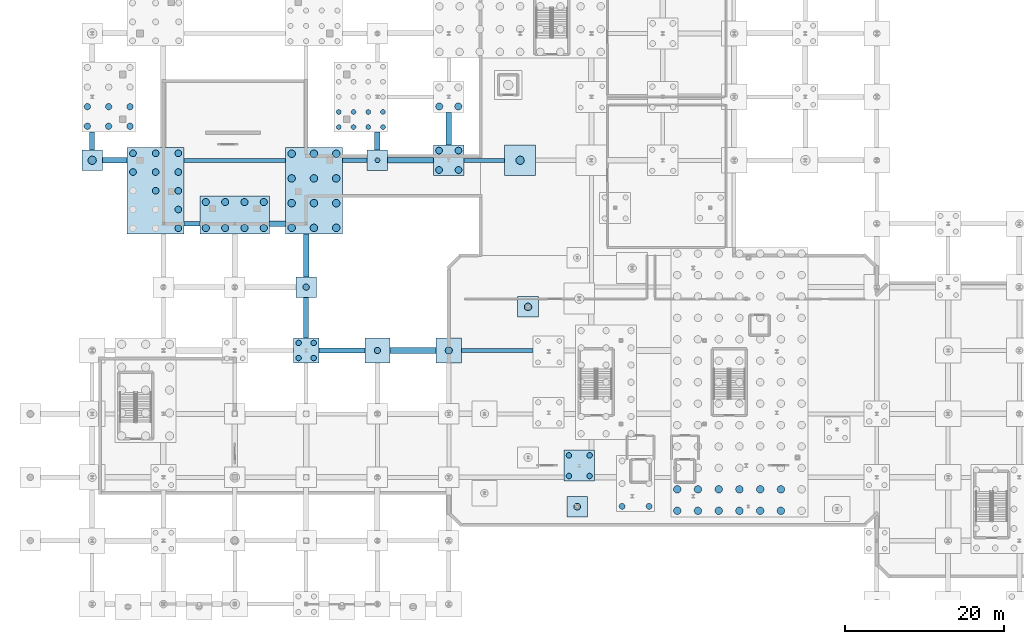
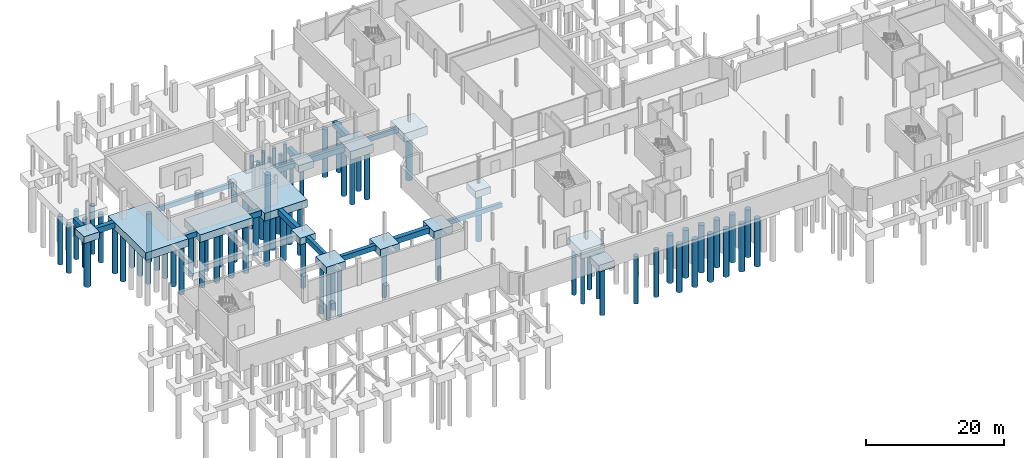
# One storey, part 3 of 37: 80 piles, 29 footings.
"""IFC4 building model written with IfcOpenShell, lengths in metres."""

from ifc_helpers import new_model, si_unit, direction, frame, origin, origin_2d, place, context, subcontext, project, spatial, polyline, rectangle, circle, outline, extrude, material, material_profile, profile_set, type_object, element, save


model = new_model("IFC4")

# Units and contexts
model_context = context("Model", 3, precision=1e-05, world=origin(), true_north=direction((0.0, 1.0)))
body_context = subcontext(model_context, "Body", "Model", "MODEL_VIEW")
ifc_project = project(units=[si_unit("LENGTHUNIT", "METRE"), si_unit("AREAUNIT", "SQUARE_METRE"), si_unit("VOLUMEUNIT", "CUBIC_METRE"), si_unit("PLANEANGLEUNIT", "RADIAN"), si_unit("MASSUNIT", "GRAM", prefix="KILO"), si_unit("THERMODYNAMICTEMPERATUREUNIT", "KELVIN"), si_unit("POWERUNIT", "WATT")], contexts=[model_context])

# Site, building, storey
site_placement = place(None, origin())
site = spatial("IfcSite", under=ifc_project, at=site_placement, CompositionType="ELEMENT")
building_placement = place(site_placement, origin())
building = spatial("IfcBuilding", under=site, at=building_placement, Name="Zelmaris Science Centre", CompositionType="ELEMENT")
storey_placement = place(building_placement, frame((0.0, 0.0, -4.800048828125)))
storey = spatial("IfcBuildingStorey", under=building, at=storey_placement, Name="B1", CompositionType="ELEMENT", Elevation=-4.800048828125)

# Footings
ifc_material = material(Name="Concrete C40/50", Category="concrete")
ifc_material_profile_1 = material_profile(ifc_material, rectangle(XDim=0.5, YDim=0.800048828125, at=origin_2d()), Name="FB-500X800")
ifc_profile_set_1 = profile_set([ifc_material_profile_1], Name="Concrete C40/50")
footing_type_1 = type_object("IfcFootingType", Name="Foundation Tie Beam FB-01 500x800", PredefinedType="FOOTING_BEAM", material=ifc_profile_set_1)
footing_1_placement = place(storey_placement, frame((55.60009765625, 40.0, -0.75), z_axis=(1.0, 0.0, 0.0), x_axis=(0.0, 1.0, 0.0)))
element("IfcFooting", 1, at=footing_1_placement, inside=storey, type_object=footing_type_1, Name="Foundation tie beam 148", PredefinedType="FOOTING_BEAM", context=body_context, shape_type="SweptSolid", body=[
    extrude(rectangle(XDim=0.5, YDim=0.800048828125, at=origin_2d()), origin(), (0.0, 0.0, 1.0), 9.057861328125),
])
footing_2_placement = place(storey_placement, frame((20.60009765625, 64.0, -0.75), z_axis=(1.0, 0.0, 0.0), x_axis=(0.0, 1.0, 0.0)))
element("IfcFooting", 2, at=footing_2_placement, inside=storey, type_object=footing_type_1, Name="Foundation tie beam 172", PredefinedType="FOOTING_BEAM", context=body_context, shape_type="SweptSolid", body=[
    extrude(rectangle(XDim=0.5, YDim=0.800048828125, at=origin_2d()), origin(), (0.0, 0.0, 1.0), 12.7998046875),
])
footing_3_placement = place(storey_placement, frame((55.949951171875, 64.0, -0.75), z_axis=(1.0, 0.0, 0.0), x_axis=(0.0, 1.0, 0.0)))
element("IfcFooting", 3, at=footing_3_placement, inside=storey, type_object=footing_type_1, Name="Foundation tie beam 175", PredefinedType="FOOTING_BEAM", context=body_context, shape_type="SweptSolid", body=[
    extrude(rectangle(XDim=0.5, YDim=0.800048828125, at=origin_2d()), origin(), (0.0, 0.0, 1.0), 5.10009765625),
])
ifc_material_profile_2 = material_profile(ifc_material, rectangle(XDim=0.60009765625, YDim=0.89990234375, at=origin_2d()), Name="FB-600X900")
ifc_profile_set_2 = profile_set([ifc_material_profile_2], Name="Concrete C40/50")
footing_type_2 = type_object("IfcFootingType", Name="Foundation Tie Beam FB-02 600x900", PredefinedType="FOOTING_BEAM", material=ifc_profile_set_2)
footing_4_placement = place(storey_placement, frame((9.0, 65.300048828125, -0.800048828125), z_axis=(0.0, 1.0, 0.0), x_axis=(-1.0, 0.0, 0.0)))
element("IfcFooting", 4, at=footing_4_placement, inside=storey, type_object=footing_type_2, Name="Foundation tie beam 5", PredefinedType="FOOTING_BEAM", context=body_context, shape_type="SweptSolid", body=[
    extrude(rectangle(XDim=0.60009765625, YDim=0.89990234375, at=origin_2d()), origin(), (0.0, 0.0, 1.0), 2.291015625),
])
footing_5_placement = place(storey_placement, frame((36.0, 41.60009765625, -0.800048828125), z_axis=(0.0, 1.0, 0.0), x_axis=(-1.0, 0.0, 0.0)))
element("IfcFooting", 5, at=footing_5_placement, inside=storey, type_object=footing_type_2, Name="Foundation tie beam 23", PredefinedType="FOOTING_BEAM", context=body_context, shape_type="SweptSolid", body=[
    extrude(rectangle(XDim=0.60009765625, YDim=0.89990234375, at=origin_2d()), origin(), (0.0, 0.0, 1.0), 5.099853515625),
])
footing_6_placement = place(storey_placement, frame((37.60009765625, 40.0, -0.800048828125), z_axis=(1.0, 0.0, 0.0), x_axis=(0.0, 1.0, 0.0)))
element("IfcFooting", 6, at=footing_6_placement, inside=storey, type_object=footing_type_2, Name="Foundation tie beam 146", PredefinedType="FOOTING_BEAM", context=body_context, shape_type="SweptSolid", body=[
    extrude(rectangle(XDim=0.60009765625, YDim=0.89990234375, at=origin_2d()), origin(), (0.0, 0.0, 1.0), 5.7998046875),
])
footing_7_placement = place(storey_placement, frame((20.60009765625, 56.0, -0.800048828125), z_axis=(1.0, 0.0, 0.0), x_axis=(0.0, 1.0, 0.0)))
element("IfcFooting", 7, at=footing_7_placement, inside=storey, type_object=footing_type_2, Name="Foundation tie beam 164", PredefinedType="FOOTING_BEAM", context=body_context, shape_type="SweptSolid", body=[
    extrude(rectangle(XDim=0.60009765625, YDim=0.89990234375, at=origin_2d()), origin(), (0.0, 0.0, 1.0), 1.990966796875),
])
footing_8_placement = place(storey_placement, frame((40.572998046875, 64.0, -0.800048828125), z_axis=(1.0, 0.0, 0.0), x_axis=(0.0, 1.0, 0.0)))
element("IfcFooting", 8, at=footing_8_placement, inside=storey, type_object=footing_type_2, Name="Foundation tie beam 173", PredefinedType="FOOTING_BEAM", context=body_context, shape_type="SweptSolid", body=[
    extrude(rectangle(XDim=0.60009765625, YDim=0.89990234375, at=origin_2d()), origin(), (0.0, 0.0, 1.0), 3.126953125),
])
ifc_material_profile_3 = material_profile(ifc_material, rectangle(XDim=0.699951171875, YDim=1.0, at=origin_2d()), Name="FB-700X1000")
ifc_profile_set_3 = profile_set([ifc_material_profile_3], Name="Concrete C40/50")
footing_type_3 = type_object("IfcFootingType", Name="Foundation Tie Beam FB-03 700x1000", PredefinedType="FOOTING_BEAM", material=ifc_profile_set_3)
footing_9_placement = place(storey_placement, frame((36.0, 49.300048828125, -0.849853515625), z_axis=(0.0, 1.0, 0.0), x_axis=(-1.0, 0.0, 0.0)))
element("IfcFooting", 9, at=footing_9_placement, inside=storey, type_object=footing_type_3, Name="Foundation tie beam 24", PredefinedType="FOOTING_BEAM", context=body_context, shape_type="SweptSolid", body=[
    extrude(rectangle(XDim=0.699951171875, YDim=1.0, at=origin_2d()), origin(), (0.0, 0.0, 1.0), 5.39990234375),
])
footing_10_placement = place(storey_placement, frame((45.0, 65.300048828125, -0.849853515625), z_axis=(0.0, 1.0, 0.0), x_axis=(-1.0, 0.0, 0.0)))
element("IfcFooting", 10, at=footing_10_placement, inside=storey, type_object=footing_type_3, Name="Foundation tie beam 30", PredefinedType="FOOTING_BEAM", context=body_context, shape_type="SweptSolid", body=[
    extrude(rectangle(XDim=0.699951171875, YDim=1.0, at=origin_2d()), origin(), (0.0, 0.0, 1.0), 2.291015625),
])
footing_11_placement = place(storey_placement, frame((54.0, 65.949951171875, -0.849853515625), z_axis=(0.0, 1.0, 0.0), x_axis=(-1.0, 0.0, 0.0)))
element("IfcFooting", 11, at=footing_11_placement, inside=storey, type_object=footing_type_3, Name="Foundation tie beam 36", PredefinedType="FOOTING_BEAM", context=body_context, shape_type="SweptSolid", body=[
    extrude(rectangle(XDim=0.699951171875, YDim=1.0, at=origin_2d()), origin(), (0.0, 0.0, 1.0), 4.10009765625),
])
footing_12_placement = place(storey_placement, frame((46.60009765625, 40.0, -0.849853515625), z_axis=(1.0, 0.0, 0.0), x_axis=(0.0, 1.0, 0.0)))
element("IfcFooting", 12, at=footing_12_placement, inside=storey, type_object=footing_type_3, Name="Foundation tie beam 147", PredefinedType="FOOTING_BEAM", context=body_context, shape_type="SweptSolid", body=[
    extrude(rectangle(XDim=0.699951171875, YDim=1.0, at=origin_2d()), origin(), (0.0, 0.0, 1.0), 5.7998046875),
])
footing_13_placement = place(storey_placement, frame((31.408935546875, 56.0, -0.849853515625), z_axis=(1.0, 0.0, 0.0), x_axis=(0.0, 1.0, 0.0)))
element("IfcFooting", 13, at=footing_13_placement, inside=storey, type_object=footing_type_3, Name="Foundation tie beam 165", PredefinedType="FOOTING_BEAM", context=body_context, shape_type="SweptSolid", body=[
    extrude(rectangle(XDim=0.699951171875, YDim=1.0, at=origin_2d()), origin(), (0.0, 0.0, 1.0), 1.990966796875),
])
footing_14_placement = place(storey_placement, frame((10.300048828125, 64.0, -0.849853515625), z_axis=(1.0, 0.0, 0.0), x_axis=(0.0, 1.0, 0.0)))
element("IfcFooting", 14, at=footing_14_placement, inside=storey, type_object=footing_type_3, Name="Foundation tie beam 171", PredefinedType="FOOTING_BEAM", context=body_context, shape_type="SweptSolid", body=[
    extrude(rectangle(XDim=0.699951171875, YDim=1.0, at=origin_2d()), origin(), (0.0, 0.0, 1.0), 3.126953125),
])
footing_15_placement = place(storey_placement, frame((46.300048828125, 64.0, -0.849853515625), z_axis=(1.0, 0.0, 0.0), x_axis=(0.0, 1.0, 0.0)))
element("IfcFooting", 15, at=footing_15_placement, inside=storey, type_object=footing_type_3, Name="Foundation tie beam 174", PredefinedType="FOOTING_BEAM", context=body_context, shape_type="SweptSolid", body=[
    extrude(rectangle(XDim=0.699951171875, YDim=1.0, at=origin_2d()), origin(), (0.0, 0.0, 1.0), 5.75),
])
footing_type_4 = type_object("IfcFootingType", Name="Pile Cap PCM-2626 2600x2600x1200", PredefinedType="PILE_CAP", material=ifc_material)
footing_16_placement = place(storey_placement, frame((0.0, 0.0, -1.550048828125)))
element("IfcFooting", 16, at=footing_16_placement, inside=storey, type_object=footing_type_4, Name="Pile cap 9", PredefinedType="PILE_CAP", context=body_context, shape_type="SweptSolid", body=[
    extrude(outline(polyline([(7.699951171875, 62.699951171875), (10.300048828125, 62.699951171875), (10.300048828125, 65.300048828125), (7.699951171875, 65.300048828125), (7.699951171875, 62.699951171875)])), origin(), (0.0, 0.0, 1.0), 1.2001953125),
])
footing_17_placement = place(storey_placement, frame((0.0, 0.0, -1.550048828125)))
element("IfcFooting", 17, at=footing_17_placement, inside=storey, type_object=footing_type_4, Name="Pile cap 11", PredefinedType="PILE_CAP", context=body_context, shape_type="SweptSolid", body=[
    extrude(outline(polyline([(43.699951171875, 62.699951171875), (46.300048828125, 62.699951171875), (46.300048828125, 65.300048828125), (43.699951171875, 65.300048828125), (43.699951171875, 62.699951171875)])), origin(), (0.0, 0.0, 1.0), 1.2001953125),
])
footing_18_placement = place(storey_placement, frame((0.0, 0.0, -1.550048828125)))
element("IfcFooting", 18, at=footing_18_placement, inside=storey, type_object=footing_type_4, Name="Pile cap 15", PredefinedType="PILE_CAP", context=body_context, shape_type="SweptSolid", body=[
    extrude(outline(polyline([(34.699951171875, 46.699951171875), (37.300048828125, 46.699951171875), (37.300048828125, 49.300048828125), (34.699951171875, 49.300048828125), (34.699951171875, 46.699951171875)])), origin(), (0.0, 0.0, 1.0), 1.2001953125),
])
footing_19_placement = place(storey_placement, frame((0.0, 0.0, -1.550048828125)))
element("IfcFooting", 19, at=footing_19_placement, inside=storey, type_object=footing_type_4, Name="Pile cap 56", PredefinedType="PILE_CAP", context=body_context, shape_type="SweptSolid", body=[
    extrude(outline(polyline([(68.89990234375, 19.0), (71.5, 19.0), (71.5, 21.60009765625), (68.89990234375, 21.60009765625), (68.89990234375, 19.0)])), origin(), (0.0, 0.0, 1.0), 1.2001953125),
])
footing_20_placement = place(storey_placement, frame((0.0, 0.0, -1.550048828125)))
element("IfcFooting", 20, at=footing_20_placement, inside=storey, type_object=footing_type_4, Name="Pile cap 58", PredefinedType="PILE_CAP", context=body_context, shape_type="SweptSolid", body=[
    extrude(outline(polyline([(62.699951171875, 44.199951171875), (65.300048828125, 44.199951171875), (65.300048828125, 46.800048828125), (62.699951171875, 46.800048828125), (62.699951171875, 44.199951171875)])), origin(), (0.0, 0.0, 1.0), 1.2001953125),
])
footing_type_5 = type_object("IfcFootingType", Name="Pile Cap PCM-3232 3200x3200x1350", PredefinedType="PILE_CAP", material=ifc_material)
footing_21_placement = place(storey_placement, frame((0.0, 0.0, -1.699951171875)))
element("IfcFooting", 21, at=footing_21_placement, inside=storey, type_object=footing_type_5, Name="Pile cap 23", PredefinedType="PILE_CAP", context=body_context, shape_type="SweptSolid", body=[
    extrude(outline(polyline([(34.39990234375, 38.39990234375), (37.60009765625, 38.39990234375), (37.60009765625, 41.60009765625), (34.39990234375, 41.60009765625), (34.39990234375, 38.39990234375)])), origin(), (0.0, 0.0, 1.0), 1.35009765625),
])
footing_22_placement = place(storey_placement, frame((0.0, 0.0, -1.699951171875)))
element("IfcFooting", 22, at=footing_22_placement, inside=storey, type_object=footing_type_5, Name="Pile cap 25", PredefinedType="PILE_CAP", context=body_context, shape_type="SweptSolid", body=[
    extrude(outline(polyline([(43.39990234375, 38.39990234375), (46.60009765625, 38.39990234375), (46.60009765625, 41.60009765625), (43.39990234375, 41.60009765625), (43.39990234375, 38.39990234375)])), origin(), (0.0, 0.0, 1.0), 1.35009765625),
])
footing_23_placement = place(storey_placement, frame((0.0, 0.0, -1.699951171875)))
element("IfcFooting", 23, at=footing_23_placement, inside=storey, type_object=footing_type_5, Name="Pile cap 27", PredefinedType="PILE_CAP", context=body_context, shape_type="SweptSolid", body=[
    extrude(outline(polyline([(52.39990234375, 38.39990234375), (55.60009765625, 38.39990234375), (55.60009765625, 41.60009765625), (52.39990234375, 41.60009765625), (52.39990234375, 38.39990234375)])), origin(), (0.0, 0.0, 1.0), 1.35009765625),
])
footing_type_6 = type_object("IfcFootingType", Name="Pile Cap PCM-3939 3900x3900x1500", PredefinedType="PILE_CAP", material=ifc_material)
footing_24_placement = place(storey_placement, frame((0.0, 0.0, -1.849853515625)))
element("IfcFooting", 24, at=footing_24_placement, inside=storey, type_object=footing_type_6, Name="Pile cap 53", PredefinedType="PILE_CAP", context=body_context, shape_type="SweptSolid", body=[
    extrude(outline(polyline([(68.513916015625, 23.513916015625), (72.4140625, 23.513916015625), (72.4140625, 27.4140625), (68.513916015625, 27.4140625), (68.513916015625, 23.513916015625)])), origin(), (0.0, 0.0, 1.0), 1.5),
])
footing_25_placement = place(storey_placement, frame((0.0, 0.0, -1.849853515625)))
element("IfcFooting", 25, at=footing_25_placement, inside=storey, type_object=footing_type_6, Name="Pile cap 96", PredefinedType="PILE_CAP", context=body_context, shape_type="SweptSolid", body=[
    extrude(outline(polyline([(52.050048828125, 62.050048828125), (55.949951171875, 62.050048828125), (55.949951171875, 65.949951171875), (52.050048828125, 65.949951171875), (52.050048828125, 62.050048828125)])), origin(), (0.0, 0.0, 1.0), 1.5),
])
footing_26_placement = place(storey_placement, frame((0.0, 0.0, -1.849853515625)))
element("IfcFooting", 26, at=footing_26_placement, inside=storey, type_object=footing_type_6, Name="Pile cap 99", PredefinedType="PILE_CAP", context=body_context, shape_type="SweptSolid", body=[
    extrude(outline(polyline([(61.050048828125, 62.050048828125), (64.949951171875, 62.050048828125), (64.949951171875, 65.949951171875), (61.050048828125, 65.949951171875), (61.050048828125, 62.050048828125)])), origin(), (0.0, 0.0, 1.0), 1.5),
])
footing_type_7 = type_object("IfcFootingType", Name="Pile Cap PCM-72109 7200x10900x1350", PredefinedType="PILE_CAP", material=ifc_material)
footing_27_placement = place(storey_placement, frame((0.0, 0.0, -1.699951171875)))
element("IfcFooting", 27, at=footing_27_placement, inside=storey, type_object=footing_type_7, Name="Pile cap 6", PredefinedType="PILE_CAP", context=body_context, shape_type="SweptSolid", body=[
    extrude(outline(polyline([(13.427001953125, 54.699951171875), (20.60009765625, 54.699951171875), (20.60009765625, 65.60009765625), (13.427001953125, 65.60009765625), (13.427001953125, 54.699951171875)])), origin(), (0.0, 0.0, 1.0), 1.35009765625),
])
footing_28_placement = place(storey_placement, frame((0.0, 0.0, -1.699951171875)))
element("IfcFooting", 28, at=footing_28_placement, inside=storey, type_object=footing_type_7, Name="Pile cap 8", PredefinedType="PILE_CAP", context=body_context, shape_type="SweptSolid", body=[
    extrude(outline(polyline([(33.39990234375, 54.699951171875), (40.572998046875, 54.699951171875), (40.572998046875, 65.60009765625), (33.39990234375, 65.60009765625), (33.39990234375, 54.699951171875)])), origin(), (0.0, 0.0, 1.0), 1.35009765625),
])
footing_type_8 = type_object("IfcFootingType", Name="Pile Cap PCM-8848 8800x4800x1350", PredefinedType="PILE_CAP", material=ifc_material)
footing_29_placement = place(storey_placement, frame((0.0, 0.0, -1.699951171875)))
element("IfcFooting", 29, at=footing_29_placement, inside=storey, type_object=footing_type_8, Name="Pile cap 7", PredefinedType="PILE_CAP", context=body_context, shape_type="SweptSolid", body=[
    extrude(outline(polyline([(22.591064453125, 54.699951171875), (31.408935546875, 54.699951171875), (31.408935546875, 59.47705078125), (22.591064453125, 59.47705078125), (22.591064453125, 54.699951171875)])), origin(), (0.0, 0.0, 1.0), 1.35009765625),
])

# Piles
ifc_material_profile_4 = material_profile(ifc_material, circle(Radius=0.52490234375, at=origin_2d()), Name="PILE-1050")
ifc_profile_set_4 = profile_set([ifc_material_profile_4], Name="Concrete C40/50")
pile_type_1 = type_object("IfcPileType", Name="Pile PL-1050 D1050", PredefinedType="BORED", material=ifc_profile_set_4)
pile_1_placement = place(storey_placement, frame((9.0, 64.0, -1.429931640625), z_axis=(0.0, 0.0, -1.0), x_axis=(1.0, 0.0, 0.0)))
element("IfcPile", 30, at=pile_1_placement, inside=storey, type_object=pile_type_1, Name="Bored pile 9-1", PredefinedType="BORED", context=body_context, shape_type="SweptSolid", body=[
    extrude(circle(Radius=0.52490234375, at=origin_2d()), origin(), (0.0, 0.0, 1.0), 8.77001953125),
])
pile_2_placement = place(storey_placement, frame((63.0, 64.0, -1.72998046875), z_axis=(0.0, 0.0, -1.0), x_axis=(1.0, 0.0, 0.0)))
element("IfcPile", 31, at=pile_2_placement, inside=storey, type_object=pile_type_1, Name="Bored pile 99-1", PredefinedType="BORED", context=body_context, shape_type="SweptSolid", body=[
    extrude(circle(Radius=0.52490234375, at=origin_2d()), origin(), (0.0, 0.0, 1.0), 8.469970703125),
])
ifc_material_profile_5 = material_profile(ifc_material, circle(Radius=0.300048828125, at=origin_2d()), Name="PILE-600")
ifc_profile_set_5 = profile_set([ifc_material_profile_5], Name="Concrete C40/50")
pile_type_2 = type_object("IfcPileType", Name="Pile PL-600 D600", PredefinedType="BORED", material=ifc_profile_set_5)
for number, where, z_axis, x_axis, name in (
    (32, (40.123046875, 68.19091796875, -1.579833984375), (0.0, 0.0, -1.0), (1.0, 0.0, 0.0), "Bored pile 1-1"),
    (33, (40.123046875, 70.095458984375, -1.579833984375), (0.0, 0.0, -1.0), (1.0, 0.0, 0.0), "Bored pile 1-2"),
    (34, (41.98193359375, 68.19091796875, -1.579833984375), (0.0, 0.0, -1.0), (1.0, 0.0, 0.0), "Bored pile 1-6"),
    (35, (41.98193359375, 70.095458984375, -1.579833984375), (0.0, 0.0, -1.0), (1.0, 0.0, 0.0), "Bored pile 1-7"),
    (36, (43.841064453125, 68.19091796875, -1.579833984375), (0.0, 0.0, -1.0), (1.0, 0.0, 0.0), "Bored pile 1-11"),
    (37, (43.841064453125, 70.095458984375, -1.579833984375), (0.0, 0.0, -1.0), (1.0, 0.0, 0.0), "Bored pile 1-12"),
    (38, (45.699951171875, 68.19091796875, -1.579833984375), (0.0, 0.0, -1.0), (1.0, 0.0, 0.0), "Bored pile 1-16"),
    (39, (45.699951171875, 70.095458984375, -1.579833984375), (0.0, 0.0, -1.0), (1.0, 0.0, 0.0), "Bored pile 1-17"),
):
    element("IfcPile", number, at=place(storey_placement, frame(where, z_axis=z_axis, x_axis=x_axis)), inside=storey, type_object=pile_type_2, Name=name, PredefinedType="BORED", context=body_context, shape_type="SweptSolid", body=[
        extrude(circle(Radius=0.300048828125, at=origin_2d()), origin(), (0.0, 0.0, 1.0), 8.6201171875),
    ])
pile_3_placement = place(storey_placement, frame((45.0, 64.0, -1.429931640625), z_axis=(0.0, 0.0, -1.0), x_axis=(1.0, 0.0, 0.0)))
element("IfcPile", 40, at=pile_3_placement, inside=storey, type_object=pile_type_2, Name="Bored pile 11-1", PredefinedType="BORED", context=body_context, shape_type="SweptSolid", body=[
    extrude(circle(Radius=0.300048828125, at=origin_2d()), origin(), (0.0, 0.0, 1.0), 8.77001953125),
])
ifc_material_profile_6 = material_profile(ifc_material, circle(Radius=0.35009765625, at=origin_2d()), Name="PILE-700")
ifc_profile_set_6 = profile_set([ifc_material_profile_6], Name="Concrete C40/50")
pile_type_3 = type_object("IfcPileType", Name="Pile PL-700 D700", PredefinedType="BORED", material=ifc_profile_set_6)
for number, where, z_axis, x_axis, name in (
    (41, (35.050048828125, 39.050048828125, -1.579833984375), (0.0, 0.0, -1.0), (1.0, 0.0, 0.0), "Bored pile 23-1"),
    (42, (35.050048828125, 40.949951171875, -1.579833984375), (0.0, 0.0, -1.0), (1.0, 0.0, 0.0), "Bored pile 23-2"),
    (43, (36.949951171875, 39.050048828125, -1.579833984375), (0.0, 0.0, -1.0), (1.0, 0.0, 0.0), "Bored pile 23-3"),
    (44, (36.949951171875, 40.949951171875, -1.579833984375), (0.0, 0.0, -1.0), (1.0, 0.0, 0.0), "Bored pile 23-4"),
):
    element("IfcPile", number, at=place(storey_placement, frame(where, z_axis=z_axis, x_axis=x_axis)), inside=storey, type_object=pile_type_3, Name=name, PredefinedType="BORED", context=body_context, shape_type="SweptSolid", body=[
        extrude(circle(Radius=0.35009765625, at=origin_2d()), origin(), (0.0, 0.0, 1.0), 8.6201171875),
    ])
for number, where, z_axis, x_axis, name in (
    (45, (69.1640625, 24.1640625, -1.72998046875), (0.0, 0.0, -1.0), (1.0, 0.0, 0.0), "Bored pile 53-1"),
    (46, (69.1640625, 26.763916015625, -1.72998046875), (0.0, 0.0, -1.0), (1.0, 0.0, 0.0), "Bored pile 53-2"),
    (47, (71.763916015625, 24.1640625, -1.72998046875), (0.0, 0.0, -1.0), (1.0, 0.0, 0.0), "Bored pile 53-3"),
    (48, (71.763916015625, 26.763916015625, -1.72998046875), (0.0, 0.0, -1.0), (1.0, 0.0, 0.0), "Bored pile 53-4"),
):
    element("IfcPile", number, at=place(storey_placement, frame(where, z_axis=z_axis, x_axis=x_axis)), inside=storey, type_object=pile_type_3, Name=name, PredefinedType="BORED", context=body_context, shape_type="SweptSolid", body=[
        extrude(circle(Radius=0.35009765625, at=origin_2d()), origin(), (0.0, 0.0, 1.0), 8.469970703125),
    ])
ifc_material_profile_7 = material_profile(ifc_material, circle(Radius=0.375, at=origin_2d()), Name="PILE-750")
ifc_profile_set_7 = profile_set([ifc_material_profile_7], Name="Concrete C40/50")
pile_type_4 = type_object("IfcPileType", Name="Pile PL-750 D750", PredefinedType="BORED", material=ifc_profile_set_7)
for number, where, z_axis, x_axis, name in (
    (49, (75.868896484375, 20.3330078125, -1.72998046875), (0.0, 0.0, -1.0), (1.0, 0.0, 0.0), "Bored pile 54-1"),
    (50, (79.27490234375, 20.3330078125, -1.72998046875), (0.0, 0.0, -1.0), (1.0, 0.0, 0.0), "Bored pile 54-4"),
):
    element("IfcPile", number, at=place(storey_placement, frame(where, z_axis=z_axis, x_axis=x_axis)), inside=storey, type_object=pile_type_4, Name=name, PredefinedType="BORED", context=body_context, shape_type="SweptSolid", body=[
        extrude(circle(Radius=0.375, at=origin_2d()), origin(), (0.0, 0.0, 1.0), 8.469970703125),
    ])
ifc_material_profile_8 = material_profile(ifc_material, circle(Radius=0.39990234375, at=origin_2d()), Name="PILE-800")
ifc_profile_set_8 = profile_set([ifc_material_profile_8], Name="Concrete C40/50")
pile_type_5 = type_object("IfcPileType", Name="Pile PL-800 D800", PredefinedType="BORED", material=ifc_profile_set_8)
for number, where, z_axis, x_axis, name in (
    (51, (8.39990234375, 68.291015625, -1.579833984375), (0.0, 0.0, -1.0), (1.0, 0.0, 0.0), "Bored pile 5-1"),
    (52, (8.39990234375, 70.763671875, -1.579833984375), (0.0, 0.0, -1.0), (1.0, 0.0, 0.0), "Bored pile 5-2"),
    (53, (11.08837890625, 68.291015625, -1.579833984375), (0.0, 0.0, -1.0), (1.0, 0.0, 0.0), "Bored pile 5-5"),
    (54, (11.08837890625, 70.763671875, -1.579833984375), (0.0, 0.0, -1.0), (1.0, 0.0, 0.0), "Bored pile 5-6"),
    (55, (13.777099609375, 68.291015625, -1.579833984375), (0.0, 0.0, -1.0), (1.0, 0.0, 0.0), "Bored pile 5-9"),
    (56, (13.777099609375, 70.763671875, -1.579833984375), (0.0, 0.0, -1.0), (1.0, 0.0, 0.0), "Bored pile 5-10"),
):
    element("IfcPile", number, at=place(storey_placement, frame(where, z_axis=z_axis, x_axis=x_axis)), inside=storey, type_object=pile_type_5, Name=name, PredefinedType="BORED", context=body_context, shape_type="SweptSolid", body=[
        extrude(circle(Radius=0.39990234375, at=origin_2d()), origin(), (0.0, 0.0, 1.0), 8.6201171875),
    ])
pile_4_placement = place(storey_placement, frame((36.0, 48.0, -1.429931640625), z_axis=(0.0, 0.0, -1.0), x_axis=(1.0, 0.0, 0.0)))
element("IfcPile", 57, at=pile_4_placement, inside=storey, type_object=pile_type_5, Name="Bored pile 15-1", PredefinedType="BORED", context=body_context, shape_type="SweptSolid", body=[
    extrude(circle(Radius=0.39990234375, at=origin_2d()), origin(), (0.0, 0.0, 1.0), 8.77001953125),
])
pile_5_placement = place(storey_placement, frame((45.0, 40.0, -1.579833984375), z_axis=(0.0, 0.0, -1.0), x_axis=(1.0, 0.0, 0.0)))
element("IfcPile", 58, at=pile_5_placement, inside=storey, type_object=pile_type_5, Name="Bored pile 25-1", PredefinedType="BORED", context=body_context, shape_type="SweptSolid", body=[
    extrude(circle(Radius=0.39990234375, at=origin_2d()), origin(), (0.0, 0.0, 1.0), 8.6201171875),
])
ifc_material_profile_9 = material_profile(ifc_material, circle(Radius=0.425048828125, at=origin_2d()), Name="PILE-850")
ifc_profile_set_9 = profile_set([ifc_material_profile_9], Name="Concrete C40/50")
pile_type_6 = type_object("IfcPileType", Name="Pile PL-850 D850", PredefinedType="BORED", material=ifc_profile_set_9)
for number, where, z_axis, x_axis, name in (
    (59, (14.152099609375, 62.512451171875, -1.579833984375), (0.0, 0.0, -1.0), (1.0, 0.0, 0.0), "Bored pile 6-4"),
    (60, (14.152099609375, 64.875, -1.579833984375), (0.0, 0.0, -1.0), (1.0, 0.0, 0.0), "Bored pile 6-5"),
    (61, (17.013427734375, 60.14990234375, -1.579833984375), (0.0, 0.0, -1.0), (1.0, 0.0, 0.0), "Bored pile 6-8"),
    (62, (17.013427734375, 62.512451171875, -1.579833984375), (0.0, 0.0, -1.0), (1.0, 0.0, 0.0), "Bored pile 6-9"),
    (63, (17.013427734375, 64.875, -1.579833984375), (0.0, 0.0, -1.0), (1.0, 0.0, 0.0), "Bored pile 6-10"),
    (64, (19.875, 55.425048828125, -1.579833984375), (0.0, 0.0, -1.0), (1.0, 0.0, 0.0), "Bored pile 6-11"),
    (65, (19.875, 57.78759765625, -1.579833984375), (0.0, 0.0, -1.0), (1.0, 0.0, 0.0), "Bored pile 6-12"),
    (66, (19.875, 60.14990234375, -1.579833984375), (0.0, 0.0, -1.0), (1.0, 0.0, 0.0), "Bored pile 6-13"),
    (67, (19.875, 62.512451171875, -1.579833984375), (0.0, 0.0, -1.0), (1.0, 0.0, 0.0), "Bored pile 6-14"),
    (68, (19.875, 64.875, -1.579833984375), (0.0, 0.0, -1.0), (1.0, 0.0, 0.0), "Bored pile 6-15"),
):
    element("IfcPile", number, at=place(storey_placement, frame(where, z_axis=z_axis, x_axis=x_axis)), inside=storey, type_object=pile_type_6, Name=name, PredefinedType="BORED", context=body_context, shape_type="SweptSolid", body=[
        extrude(circle(Radius=0.425048828125, at=origin_2d()), origin(), (0.0, 0.0, 1.0), 8.6201171875),
    ])
pile_6_placement = place(storey_placement, frame((70.199951171875, 20.300048828125, -1.429931640625), z_axis=(0.0, 0.0, -1.0), x_axis=(1.0, 0.0, 0.0)))
element("IfcPile", 69, at=pile_6_placement, inside=storey, type_object=pile_type_6, Name="Bored pile 56-1", PredefinedType="BORED", context=body_context, shape_type="SweptSolid", body=[
    extrude(circle(Radius=0.425048828125, at=origin_2d()), origin(), (0.0, 0.0, 1.0), 8.77001953125),
])
for number, where, z_axis, x_axis, name in (
    (70, (52.77490234375, 62.77490234375, -1.72998046875), (0.0, 0.0, -1.0), (1.0, 0.0, 0.0), "Bored pile 96-1"),
    (71, (52.77490234375, 65.22509765625, -1.72998046875), (0.0, 0.0, -1.0), (1.0, 0.0, 0.0), "Bored pile 96-2"),
    (72, (55.22509765625, 62.77490234375, -1.72998046875), (0.0, 0.0, -1.0), (1.0, 0.0, 0.0), "Bored pile 96-3"),
    (73, (55.22509765625, 65.22509765625, -1.72998046875), (0.0, 0.0, -1.0), (1.0, 0.0, 0.0), "Bored pile 96-4"),
):
    element("IfcPile", number, at=place(storey_placement, frame(where, z_axis=z_axis, x_axis=x_axis)), inside=storey, type_object=pile_type_6, Name=name, PredefinedType="BORED", context=body_context, shape_type="SweptSolid", body=[
        extrude(circle(Radius=0.425048828125, at=origin_2d()), origin(), (0.0, 0.0, 1.0), 8.469970703125),
    ])
ifc_material_profile_10 = material_profile(ifc_material, circle(Radius=0.449951171875, at=origin_2d()), Name="PILE-900")
ifc_profile_set_10 = profile_set([ifc_material_profile_10], Name="Concrete C40/50")
pile_type_7 = type_object("IfcPileType", Name="Pile PL-900 D900", PredefinedType="BORED", material=ifc_profile_set_10)
for number, where, z_axis, x_axis, name in (
    (74, (23.341064453125, 55.449951171875, -1.579833984375), (0.0, 0.0, -1.0), (1.0, 0.0, 0.0), "Bored pile 7-1"),
    (75, (23.341064453125, 58.72705078125, -1.579833984375), (0.0, 0.0, -1.0), (1.0, 0.0, 0.0), "Bored pile 7-2"),
    (76, (25.7802734375, 55.449951171875, -1.579833984375), (0.0, 0.0, -1.0), (1.0, 0.0, 0.0), "Bored pile 7-3"),
    (77, (25.7802734375, 58.72705078125, -1.579833984375), (0.0, 0.0, -1.0), (1.0, 0.0, 0.0), "Bored pile 7-4"),
    (78, (28.2197265625, 55.449951171875, -1.579833984375), (0.0, 0.0, -1.0), (1.0, 0.0, 0.0), "Bored pile 7-5"),
    (79, (28.2197265625, 58.72705078125, -1.579833984375), (0.0, 0.0, -1.0), (1.0, 0.0, 0.0), "Bored pile 7-6"),
    (80, (30.658935546875, 55.449951171875, -1.579833984375), (0.0, 0.0, -1.0), (1.0, 0.0, 0.0), "Bored pile 7-7"),
    (81, (30.658935546875, 58.72705078125, -1.579833984375), (0.0, 0.0, -1.0), (1.0, 0.0, 0.0), "Bored pile 7-8"),
    (82, (54.0, 40.0, -1.579833984375), (0.0, 0.0, -1.0), (1.0, 0.0, 0.0), "Bored pile 27-1"),
):
    element("IfcPile", number, at=place(storey_placement, frame(where, z_axis=z_axis, x_axis=x_axis)), inside=storey, type_object=pile_type_7, Name=name, PredefinedType="BORED", context=body_context, shape_type="SweptSolid", body=[
        extrude(circle(Radius=0.449951171875, at=origin_2d()), origin(), (0.0, 0.0, 1.0), 8.6201171875),
    ])
for number, where, z_axis, x_axis, name in (
    (83, (52.800048828125, 70.800048828125, -1.72998046875), (0.0, 0.0, -1.0), (1.0, 0.0, 0.0), "Bored pile 97-1"),
    (84, (55.199951171875, 70.800048828125, -1.72998046875), (0.0, 0.0, -1.0), (1.0, 0.0, 0.0), "Bored pile 97-3"),
):
    element("IfcPile", number, at=place(storey_placement, frame(where, z_axis=z_axis, x_axis=x_axis)), inside=storey, type_object=pile_type_7, Name=name, PredefinedType="BORED", context=body_context, shape_type="SweptSolid", body=[
        extrude(circle(Radius=0.449951171875, at=origin_2d()), origin(), (0.0, 0.0, 1.0), 8.469970703125),
    ])
ifc_material_profile_11 = material_profile(ifc_material, circle(Radius=0.47509765625, at=origin_2d()), Name="PILE-950")
ifc_profile_set_11 = profile_set([ifc_material_profile_11], Name="Concrete C40/50")
pile_type_8 = type_object("IfcPileType", Name="Pile PL-950 D950", PredefinedType="BORED", material=ifc_profile_set_11)
for number, where, z_axis, x_axis, name in (
    (85, (34.175048828125, 55.47509765625, -1.579833984375), (0.0, 0.0, -1.0), (1.0, 0.0, 0.0), "Bored pile 8-1"),
    (86, (34.175048828125, 58.591796875, -1.579833984375), (0.0, 0.0, -1.0), (1.0, 0.0, 0.0), "Bored pile 8-2"),
    (87, (34.175048828125, 61.708251953125, -1.579833984375), (0.0, 0.0, -1.0), (1.0, 0.0, 0.0), "Bored pile 8-3"),
    (88, (34.175048828125, 64.824951171875, -1.579833984375), (0.0, 0.0, -1.0), (1.0, 0.0, 0.0), "Bored pile 8-4"),
    (89, (36.986572265625, 55.47509765625, -1.579833984375), (0.0, 0.0, -1.0), (1.0, 0.0, 0.0), "Bored pile 8-5"),
    (90, (36.986572265625, 58.591796875, -1.579833984375), (0.0, 0.0, -1.0), (1.0, 0.0, 0.0), "Bored pile 8-6"),
    (91, (36.986572265625, 61.708251953125, -1.579833984375), (0.0, 0.0, -1.0), (1.0, 0.0, 0.0), "Bored pile 8-7"),
    (92, (36.986572265625, 64.824951171875, -1.579833984375), (0.0, 0.0, -1.0), (1.0, 0.0, 0.0), "Bored pile 8-8"),
    (93, (39.798095703125, 55.47509765625, -1.579833984375), (0.0, 0.0, -1.0), (1.0, 0.0, 0.0), "Bored pile 8-9"),
    (94, (39.798095703125, 58.591796875, -1.579833984375), (0.0, 0.0, -1.0), (1.0, 0.0, 0.0), "Bored pile 8-10"),
    (95, (39.798095703125, 61.708251953125, -1.579833984375), (0.0, 0.0, -1.0), (1.0, 0.0, 0.0), "Bored pile 8-11"),
    (96, (39.798095703125, 64.824951171875, -1.579833984375), (0.0, 0.0, -1.0), (1.0, 0.0, 0.0), "Bored pile 8-12"),
):
    element("IfcPile", number, at=place(storey_placement, frame(where, z_axis=z_axis, x_axis=x_axis)), inside=storey, type_object=pile_type_8, Name=name, PredefinedType="BORED", context=body_context, shape_type="SweptSolid", body=[
        extrude(circle(Radius=0.47509765625, at=origin_2d()), origin(), (0.0, 0.0, 1.0), 8.6201171875),
    ])
for number, where, z_axis, x_axis, name in (
    (97, (82.824951171875, 19.77490234375, -1.72998046875), (0.0, 0.0, -1.0), (1.0, 0.0, 0.0), "Bored pile 48-1"),
    (98, (82.824951171875, 22.479248046875, -1.72998046875), (0.0, 0.0, -1.0), (1.0, 0.0, 0.0), "Bored pile 48-2"),
    (99, (85.441650390625, 19.77490234375, -1.72998046875), (0.0, 0.0, -1.0), (1.0, 0.0, 0.0), "Bored pile 48-14"),
    (100, (85.441650390625, 22.479248046875, -1.72998046875), (0.0, 0.0, -1.0), (1.0, 0.0, 0.0), "Bored pile 48-15"),
    (101, (88.058349609375, 19.77490234375, -1.72998046875), (0.0, 0.0, -1.0), (1.0, 0.0, 0.0), "Bored pile 48-27"),
    (102, (88.058349609375, 22.479248046875, -1.72998046875), (0.0, 0.0, -1.0), (1.0, 0.0, 0.0), "Bored pile 48-28"),
    (103, (90.675048828125, 19.77490234375, -1.72998046875), (0.0, 0.0, -1.0), (1.0, 0.0, 0.0), "Bored pile 48-40"),
    (104, (90.675048828125, 22.479248046875, -1.72998046875), (0.0, 0.0, -1.0), (1.0, 0.0, 0.0), "Bored pile 48-41"),
    (105, (93.291748046875, 19.77490234375, -1.72998046875), (0.0, 0.0, -1.0), (1.0, 0.0, 0.0), "Bored pile 48-53"),
    (106, (93.291748046875, 22.479248046875, -1.72998046875), (0.0, 0.0, -1.0), (1.0, 0.0, 0.0), "Bored pile 48-54"),
    (107, (95.908203125, 19.77490234375, -1.72998046875), (0.0, 0.0, -1.0), (1.0, 0.0, 0.0), "Bored pile 48-66"),
    (108, (95.908203125, 22.479248046875, -1.72998046875), (0.0, 0.0, -1.0), (1.0, 0.0, 0.0), "Bored pile 48-67"),
):
    element("IfcPile", number, at=place(storey_placement, frame(where, z_axis=z_axis, x_axis=x_axis)), inside=storey, type_object=pile_type_8, Name=name, PredefinedType="BORED", context=body_context, shape_type="SweptSolid", body=[
        extrude(circle(Radius=0.47509765625, at=origin_2d()), origin(), (0.0, 0.0, 1.0), 8.469970703125),
    ])
pile_7_placement = place(storey_placement, frame((64.0, 45.5, -1.429931640625), z_axis=(0.0, 0.0, -1.0), x_axis=(1.0, 0.0, 0.0)))
element("IfcPile", 109, at=pile_7_placement, inside=storey, type_object=pile_type_8, Name="Bored pile 58-1", PredefinedType="BORED", context=body_context, shape_type="SweptSolid", body=[
    extrude(circle(Radius=0.47509765625, at=origin_2d()), origin(), (0.0, 0.0, 1.0), 8.77001953125),
])

save(model, "model.ifc")
